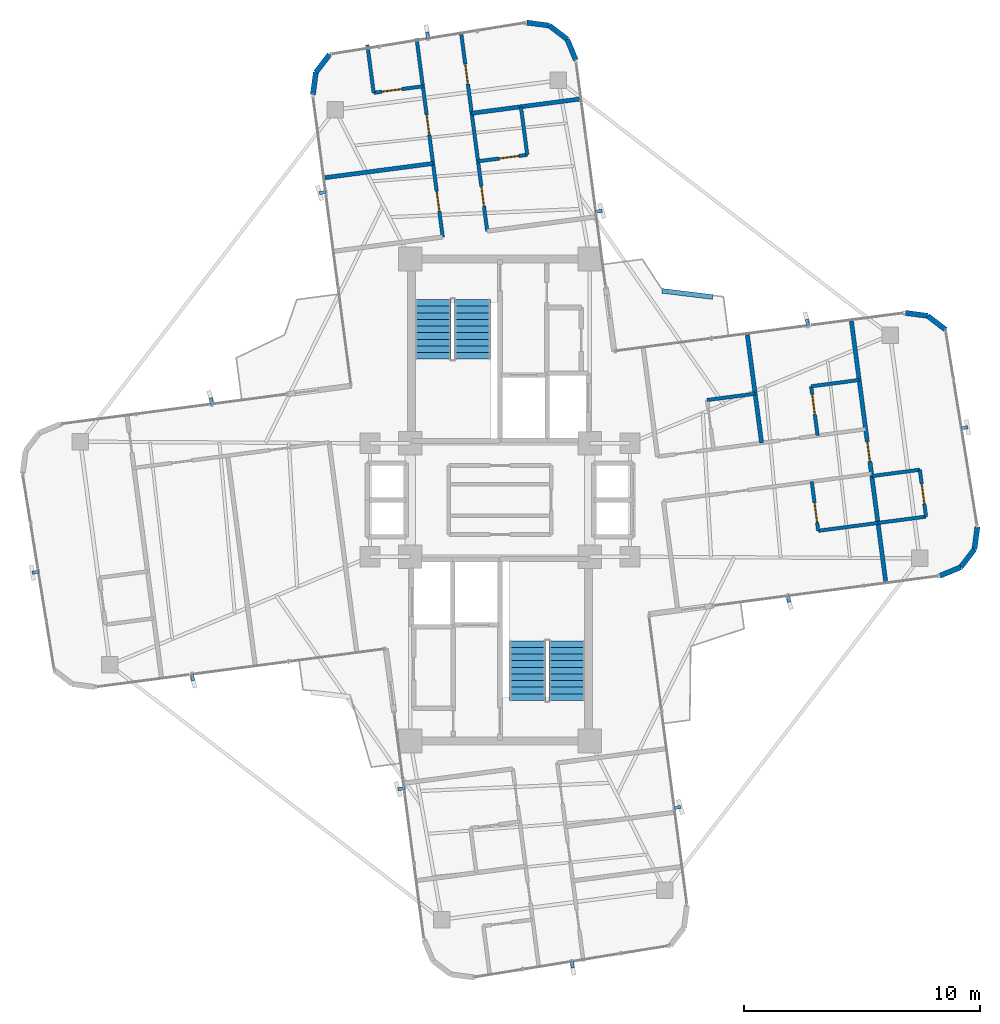
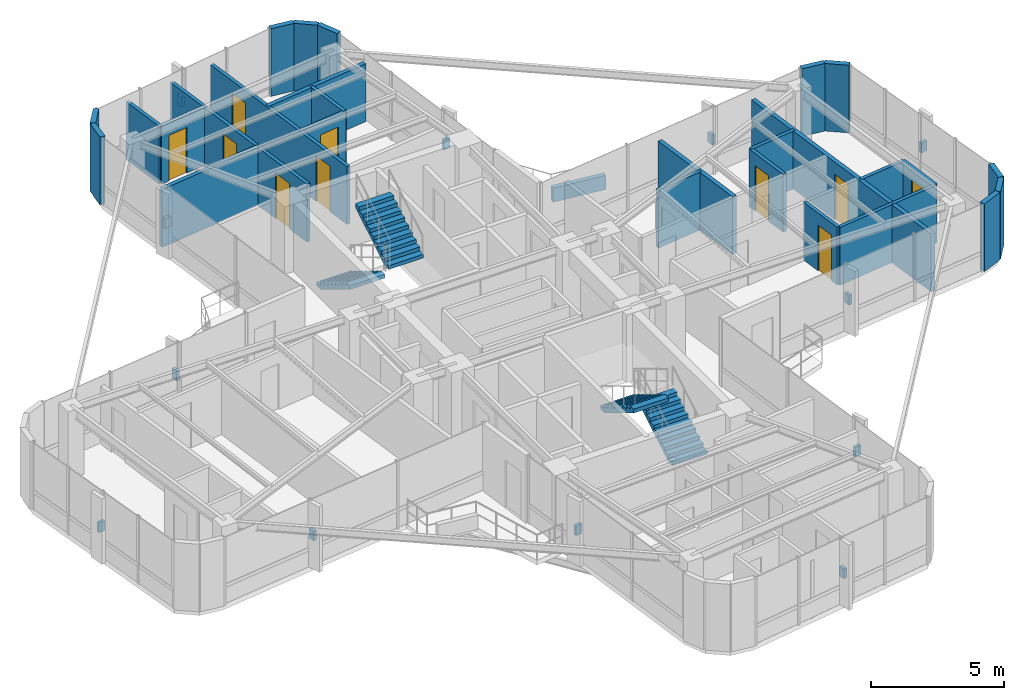
# One storey, part 21 of 22: 29 walls, 12 discrete accessories, 10 doors, 4 stair flights, 10 openings, 2 elements without a shape of their own.
"""IFC4 building model written with IfcOpenShell, lengths in metres."""

from ifc_helpers import new_model, si_unit, direction, frame, frame_2d, origin, origin_2d, place, context, subcontext, project, spatial, polyline, rectangle, outline, extrude, source, transform, mapped, material, layer, layer_set, type_object, element, fill, aggregate, save


model = new_model("IFC4")

# Units and contexts
model_context = context("Model", 3, precision=1e-05, world=origin(), true_north=direction((0.0, 1.0)))
body_context = subcontext(model_context, "Body", "Model", "MODEL_VIEW")
ifc_project = project(units=[si_unit("LENGTHUNIT", "METRE"), si_unit("AREAUNIT", "SQUARE_METRE"), si_unit("VOLUMEUNIT", "CUBIC_METRE"), si_unit("PLANEANGLEUNIT", "RADIAN"), si_unit("MASSUNIT", "GRAM", prefix="KILO")], contexts=[model_context])

# Site, building, storey
site_placement = place(None, origin())
site = spatial("IfcSite", under=ifc_project, at=site_placement, CompositionType="ELEMENT")
building_placement = place(site_placement, origin())
building = spatial("IfcBuilding", under=site, at=building_placement, Name="Sahyath Konkavel Grand Hotel", CompositionType="ELEMENT")
storey_placement = place(building_placement, frame((0.0, 0.0, 247.85009765625)))
storey = spatial("IfcBuildingStorey", under=building, at=storey_placement, Name="L69", CompositionType="ELEMENT", Elevation=247.85009765625)

# Walls
ifc_material_1 = material(Name="Warm Buff Sandstone Insulated Concrete C40/50", Category="masonry")
ifc_layer_1 = layer(ifc_material_1, 0.219970703125)
ifc_layer_set_1 = layer_set([ifc_layer_1], Name="Warm Buff Sandstone Insulated Concrete C40/50")
wall_type_1 = type_object("IfcWallType", Name="WLL-BALC-THRESH", PredefinedType="STANDARD", material=ifc_layer_set_1)
for number, where, z_axis, x_axis, name in (
    (1, (18.6083984375, -3.211669921875, 0.0), (0.0, 0.0, 1.0), (0.923889442397, 0.382659506909, 0.0), "L69 Rounded Corner Sandstone Pier 1"),
    (2, (19.4931640625, -2.84521484375, 0.0), (0.0, 0.0, 1.0), (0.608774010809, 0.793343685778, 0.0), "L69 Rounded Corner Sandstone Pier 2"),
    (3, (20.076171875, -2.08544921875, 0.0), (0.0, 0.0, 1.0), (0.130527053476, 0.991444747987, 0.0), "L69 Rounded Corner Sandstone Pier 3"),
    (4, (18.852294921875, 7.21044921875, 0.0), (0.0, 0.0, 1.0), (-0.793343685778, 0.608774010809, 0.0), "L69 Rounded Corner Sandstone Pier 5"),
    (5, (18.092529296875, 7.79345703125, 0.0), (0.0, 0.0, 1.0), (-0.991444747987, 0.130527053476, 0.0), "L69 Rounded Corner Sandstone Pier 6"),
    (6, (3.211669921875, 18.6083984375, 0.0), (0.0, 0.0, 1.0), (-0.382659506909, 0.923889442397, 0.0), "L69 Rounded Corner Sandstone Pier 9"),
    (7, (2.84521484375, 19.4931640625, 0.0), (0.0, 0.0, 1.0), (-0.793343685778, 0.608774010809, 0.0), "L69 Rounded Corner Sandstone Pier 10"),
    (8, (2.08544921875, 20.076171875, 0.0), (0.0, 0.0, 1.0), (-0.991444747987, 0.130527053476, 0.0), "L69 Rounded Corner Sandstone Pier 11"),
    (9, (-7.21044921875, 18.852294921875, 0.0), (0.0, 0.0, 1.0), (-0.608774010809, -0.793343685778, 0.0), "L69 Rounded Corner Sandstone Pier 13"),
    (10, (-7.79345703125, 18.092529296875, 0.0), (0.0, 0.0, 1.0), (-0.130527053476, -0.991444747987, 0.0), "L69 Rounded Corner Sandstone Pier 14"),
):
    element("IfcWall", number, at=place(storey_placement, frame(where, z_axis=z_axis, x_axis=x_axis)), inside=storey, type_object=wall_type_1, Name=name, PredefinedType="STANDARD", context=body_context, shape_type="SweptSolid", body=[
        extrude(rectangle(XDim=0.957763671875, YDim=0.219970703125, at=frame_2d((0.47900390625, 0.0))), origin(), (0.0, 0.0, 1.0), 3.10986328125),
    ])
ifc_material_2 = material(Name="Twin-Stud Acoustic Gypsum Plasterboard Partition")
ifc_layer_2 = layer(ifc_material_2, 0.179931640625)
ifc_layer_set_2 = layer_set([ifc_layer_2], Name="Twin-Stud Acoustic Gypsum Plasterboard Partition")
wall_type_2 = type_object("IfcWallType", Name="WLL-DEMISE-180", PredefinedType="PARTITIONING", material=ifc_layer_set_2)
wall_1_placement = place(storey_placement, frame((11.0693359375, 2.41552734375, 0.0), z_axis=(0.0, 0.0, 1.0), x_axis=(-0.130513382096, 0.991446547774, 0.0)))
element("IfcWall", 11, at=wall_1_placement, inside=storey, type_object=wall_type_2, Name="L69 Partition E-E4L1-DEM", PredefinedType="PARTITIONING", context=body_context, shape_type="SweptSolid", body=[
    extrude(rectangle(XDim=4.613037109375, YDim=0.179931640625, at=frame_2d((2.306640625, 0.0))), origin(), (0.0, 0.0, 1.0), 2.659912109375),
])

# Wall, opening, door
wall_2_placement = place(storey_placement, frame((16.321533203125, -3.462158203125, 0.0), z_axis=(0.0, 0.0, 1.0), x_axis=(-0.13051922211, 0.991445778981, 0.0)))
wall_2 = element("IfcWall", 12, at=wall_2_placement, inside=storey, type_object=wall_type_2, Name="L69 Partition E-ETIP-END", PredefinedType="PARTITIONING", context=body_context, shape_type="SweptSolid", body=[
    extrude(rectangle(XDim=11.1259765625, YDim=0.179931640625, at=frame_2d((5.56298828125, 0.0))), origin(), (0.0, 0.0, 1.0), 2.659912109375),
])
opening_1_placement = place(wall_2_placement, frame((5.137939453125, 0.0, 0.0)))
opening_1 = element("IfcOpeningElement", 13, at=opening_1_placement, cuts=wall_2, Name="Opening D-F06D", PredefinedType="OPENING", context=body_context, shape_type="SweptSolid", body=[
    extrude(rectangle(XDim=0.85009765625, YDim=2.10009765625, at=frame_2d((0.425048828125, 1.050048828125))), frame((0.0, 0.10009765625, 0.0), z_axis=(0.0, -1.0, 0.0), x_axis=(1.0, 0.0, 0.0)), (0.0, 0.0, 1.0), 0.199951171875),
])
ifc_material_3 = material(Name="Fire-Rated Shaft Access Door")
door_type_1 = type_object("IfcDoorType", Name="DR-FD60-850", OperationType="NOTDEFINED", PredefinedType="DOOR", material=ifc_material_3)
shared_shape_1 = source(origin(), body_context, "Body", "SweptSolid", [
    extrude(rectangle(XDim=0.85009765625, YDim=0.050048828125, at=origin_2d()), origin(), (0.0, 0.0, 1.0), 2.10009765625),
])
door_1_placement = place(opening_1_placement, frame((0.425048828125, 0.0, 0.0)))
door_1 = element("IfcDoor", 14, at=door_1_placement, inside=storey, type_object=door_type_1, Name="L69 Door E-ETIP-ED", OperationType="SINGLE_SWING_LEFT", OverallHeight=2.10009765625, OverallWidth=0.85009765625, PredefinedType="DOOR", context=body_context, shape_type="MappedRepresentation", body=[
    mapped(shared_shape_1, transform((0.0, 0.0, 0.0), scale=1.0)),
])
fill(opening_1, door_1)

# Walls
for number, where, z_axis, x_axis, name in (
    (15, (-2.8330078125, 14.239990234375, 0.0), (0.0, 0.0, 1.0), (-0.991446547774, -0.130513382096, 0.0), "L69 Partition N-N1L-DEM"),
    (16, (-1.196044921875, 16.364013671875, 0.0), (0.0, 0.0, 1.0), (0.991446547774, 0.130513382096, 0.0), "L69 Partition N-N1R-DEM"),
):
    element("IfcWall", number, at=place(storey_placement, frame(where, z_axis=z_axis, x_axis=x_axis)), inside=storey, type_object=wall_type_2, Name=name, PredefinedType="PARTITIONING", context=body_context, shape_type="SweptSolid", body=[
        extrude(rectangle(XDim=4.613037109375, YDim=0.179931640625, at=frame_2d((2.306640625, 0.0))), origin(), (0.0, 0.0, 1.0), 2.659912109375),
    ])
ifc_material_4 = material(Name="Fire-Rated Gypsum Plasterboard Partition")
ifc_layer_3 = layer(ifc_material_4, 0.14990234375)
ifc_layer_set_3 = layer_set([ifc_layer_3], Name="Fire-Rated Gypsum Plasterboard Partition")
wall_type_3 = type_object("IfcWallType", Name="WLL-PART-150", PredefinedType="PARTITIONING", material=ifc_layer_set_3)
wall_3_placement = place(storey_placement, frame((8.7626953125, 4.22998046875, 0.0), z_axis=(0.0, 0.0, 1.0), x_axis=(0.991446998513, 0.130509958008, 0.0)))
element("IfcWall", 17, at=wall_3_placement, inside=storey, type_object=wall_type_3, Name="L69 Partition E-E4L1-BF", PredefinedType="PARTITIONING", context=body_context, shape_type="SweptSolid", body=[
    extrude(rectangle(XDim=2.05029296875, YDim=0.14990234375, at=frame_2d((1.025146484375, 0.0))), origin(), (0.0, 0.0, 1.0), 2.659912109375),
])

# Wall, opening, door
wall_4_placement = place(storey_placement, frame((13.43896484375, 2.7275390625, 0.0), z_axis=(0.0, 0.0, 1.0), x_axis=(-0.130556761174, 0.991440836415, 0.0)))
wall_4 = element("IfcWall", 18, at=wall_4_placement, inside=storey, type_object=wall_type_3, Name="L69 Partition E-E4L2-BS", PredefinedType="PARTITIONING", context=body_context, shape_type="SweptSolid", body=[
    extrude(rectangle(XDim=2.10009765625, YDim=0.14990234375, at=frame_2d((1.050048828125, 0.0))), origin(), (0.0, 0.0, 1.0), 2.659912109375),
])
opening_2_placement = place(wall_4_placement, frame((0.89990234375, 0.0, 0.0)))
opening_2 = element("IfcOpeningElement", 19, at=opening_2_placement, cuts=wall_4, Name="Opening D-BT85", PredefinedType="OPENING", context=body_context, shape_type="SweptSolid", body=[
    extrude(rectangle(XDim=0.85009765625, YDim=2.10009765625, at=frame_2d((0.425048828125, 1.050048828125))), frame((0.0, 0.0849609375, 0.0), z_axis=(0.0, -1.0, 0.0), x_axis=(1.0, 0.0, 0.0)), (0.0, 0.0, 1.0), 0.169921875),
])
ifc_material_5 = material(Name="Moisture-Resistant Teak Bathroom Door")
door_type_2 = type_object("IfcDoorType", Name="DR-BATH-850", OperationType="NOTDEFINED", PredefinedType="DOOR", material=ifc_material_5)
door_2_placement = place(opening_2_placement, frame((0.425048828125, 0.0, 0.0)))
door_2 = element("IfcDoor", 20, at=door_2_placement, inside=storey, type_object=door_type_2, Name="L69 Door E-E4L2-BD", OperationType="SINGLE_SWING_RIGHT", OverallHeight=2.10009765625, OverallWidth=0.85009765625, PredefinedType="DOOR", context=body_context, shape_type="MappedRepresentation", body=[
    mapped(shared_shape_1, transform((0.0, 0.0, 0.0), scale=1.0)),
])
fill(opening_2, door_2)

# Wall
wall_5_placement = place(storey_placement, frame((13.164794921875, 4.8095703125, 0.0), z_axis=(0.0, 0.0, 1.0), x_axis=(0.991444969909, 0.13052536781, 0.0)))
element("IfcWall", 21, at=wall_5_placement, inside=storey, type_object=wall_type_3, Name="L69 Partition E-E4L2-BF", PredefinedType="PARTITIONING", context=body_context, shape_type="SweptSolid", body=[
    extrude(rectangle(XDim=2.050048828125, YDim=0.14990234375, at=frame_2d((1.02490234375, 0.0))), origin(), (0.0, 0.0, 1.0), 2.659912109375),
])

# Wall, opening, door
wall_6_placement = place(storey_placement, frame((13.191162109375, 0.778564453125, 0.0), z_axis=(0.0, 0.0, 1.0), x_axis=(0.130541714651, -0.991442817683, 0.0)))
wall_6 = element("IfcWall", 22, at=wall_6_placement, inside=storey, type_object=wall_type_3, Name="L69 Partition E-E4R1-BS", PredefinedType="PARTITIONING", context=body_context, shape_type="SweptSolid", body=[
    extrude(rectangle(XDim=2.100341796875, YDim=0.14990234375, at=frame_2d((1.05029296875, 0.0))), origin(), (0.0, 0.0, 1.0), 2.659912109375),
])
opening_3_placement = place(wall_6_placement, frame((0.89990234375, 0.0, 0.0)))
opening_3 = element("IfcOpeningElement", 23, at=opening_3_placement, cuts=wall_6, Name="Opening D-BT85", PredefinedType="OPENING", context=body_context, shape_type="SweptSolid", body=[
    extrude(rectangle(XDim=0.85009765625, YDim=2.10009765625, at=frame_2d((0.425048828125, 1.050048828125))), frame((0.0, 0.0849609375, 0.0), z_axis=(0.0, -1.0, 0.0), x_axis=(1.0, 0.0, 0.0)), (0.0, 0.0, 1.0), 0.169921875),
])
door_3_placement = place(opening_3_placement, frame((0.425048828125, 0.0, 0.0)))
door_3 = element("IfcDoor", 24, at=door_3_placement, inside=storey, type_object=door_type_2, Name="L69 Door E-E4R1-BD", OperationType="SINGLE_SWING_RIGHT", OverallHeight=2.10009765625, OverallWidth=0.85009765625, PredefinedType="DOOR", context=body_context, shape_type="MappedRepresentation", body=[
    mapped(shared_shape_1, transform((0.0, 0.0, 0.0), scale=1.0)),
])
fill(opening_3, door_3)

# Walls
wall_7_placement = place(storey_placement, frame((13.46533203125, -1.3037109375, 0.0), z_axis=(0.0, 0.0, 1.0), x_axis=(0.99143571012, 0.130595684076, 0.0)))
element("IfcWall", 25, at=wall_7_placement, inside=storey, type_object=wall_type_3, Name="L69 Partition E-E4R1-BF", PredefinedType="PARTITIONING", context=body_context, shape_type="SweptSolid", body=[
    extrude(rectangle(XDim=2.5498046875, YDim=0.14990234375, at=frame_2d((1.27490234375, 0.0))), origin(), (0.0, 0.0, 1.0), 2.659912109375),
])
for number, where, z_axis, x_axis, name in (
    (26, (15.732421875, 1.01220703125, 0.0), (0.0, 0.0, 1.0), (0.991444969909, 0.13052536781, 0.0), "L69 Partition E-ETIP-BN"),
    (27, (15.993408203125, -0.970703125, 0.0), (0.0, 0.0, 1.0), (0.991444969909, 0.13052536781, 0.0), "L69 Partition E-ETIP-BS"),
):
    element("IfcWall", number, at=place(storey_placement, frame(where, z_axis=z_axis, x_axis=x_axis)), inside=storey, type_object=wall_type_3, Name=name, PredefinedType="PARTITIONING", context=body_context, shape_type="SweptSolid", body=[
        extrude(rectangle(XDim=2.050048828125, YDim=0.14990234375, at=frame_2d((1.02490234375, 0.0))), origin(), (0.0, 0.0, 1.0), 2.659912109375),
    ])

# Wall, opening, door
wall_8_placement = place(storey_placement, frame((18.02587890625, -0.703125, 0.0), z_axis=(0.0, 0.0, 1.0), x_axis=(-0.130492404742, 0.991449308994, 0.0)))
wall_8 = element("IfcWall", 28, at=wall_8_placement, inside=storey, type_object=wall_type_3, Name="L69 Partition E-ETIP-BE", PredefinedType="PARTITIONING", context=body_context, shape_type="SweptSolid", body=[
    extrude(rectangle(XDim=2.0, YDim=0.14990234375, at=frame_2d((1.0, 0.0))), origin(), (0.0, 0.0, 1.0), 2.659912109375),
])
opening_4_placement = place(wall_8_placement, frame((0.550048828125, 0.0, 0.0)))
opening_4 = element("IfcOpeningElement", 29, at=opening_4_placement, cuts=wall_8, Name="Opening D-BT85", PredefinedType="OPENING", context=body_context, shape_type="SweptSolid", body=[
    extrude(rectangle(XDim=0.85009765625, YDim=2.10009765625, at=frame_2d((0.425048828125, 1.050048828125))), frame((0.0, 0.0849609375, 0.0), z_axis=(0.0, -1.0, 0.0), x_axis=(1.0, 0.0, 0.0)), (0.0, 0.0, 1.0), 0.169921875),
])
door_4_placement = place(opening_4_placement, frame((0.425048828125, 0.0, 0.0)))
door_4 = element("IfcDoor", 30, at=door_4_placement, inside=storey, type_object=door_type_2, Name="L69 Door E-ETIP-BD", OperationType="SINGLE_SWING_RIGHT", OverallHeight=2.10009765625, OverallWidth=0.85009765625, PredefinedType="DOOR", context=body_context, shape_type="MappedRepresentation", body=[
    mapped(shared_shape_1, transform((0.0, 0.0, 0.0), scale=1.0)),
])
fill(opening_4, door_4)

# Wall, openings, doors
wall_9_placement = place(storey_placement, frame((-2.42333984375, 11.12890625, 0.0), z_axis=(0.0, 0.0, 1.0), x_axis=(-0.130534199314, 0.991443807187, 0.0)))
wall_9 = element("IfcWall", 31, at=wall_9_placement, inside=storey, type_object=wall_type_3, Name="L69 Partition N-CL", PredefinedType="PARTITIONING", context=body_context, shape_type="SweptSolid", body=[
    extrude(rectangle(XDim=8.47998046875, YDim=0.14990234375, at=frame_2d((4.239990234375, 0.0))), origin(), (0.0, 0.0, 1.0), 2.659912109375),
])
opening_5_placement = place(wall_9_placement, frame((1.093994140625, 0.0, 0.0)))
opening_5 = element("IfcOpeningElement", 32, at=opening_5_placement, cuts=wall_9, Name="Opening D-F06D", PredefinedType="OPENING", context=body_context, shape_type="SweptSolid", body=[
    extrude(rectangle(XDim=0.85009765625, YDim=2.10009765625, at=frame_2d((0.425048828125, 1.050048828125))), frame((0.0, 0.0849609375, 0.0), z_axis=(0.0, -1.0, 0.0), x_axis=(1.0, 0.0, 0.0)), (0.0, 0.0, 1.0), 0.169921875),
])
opening_6_placement = place(wall_9_placement, frame((4.35888671875, 0.0, 0.0)))
opening_6 = element("IfcOpeningElement", 33, at=opening_6_placement, cuts=wall_9, Name="Opening D-F06D", PredefinedType="OPENING", context=body_context, shape_type="SweptSolid", body=[
    extrude(rectangle(XDim=0.85009765625, YDim=2.10009765625, at=frame_2d((0.425048828125, 1.050048828125))), frame((0.0, 0.0849609375, 0.0), z_axis=(0.0, -1.0, 0.0), x_axis=(1.0, 0.0, 0.0)), (0.0, 0.0, 1.0), 0.169921875),
])
door_5_placement = place(opening_5_placement, frame((0.425048828125, 0.0, 0.0)))
door_5 = element("IfcDoor", 34, at=door_5_placement, inside=storey, type_object=door_type_1, Name="L69 Door N-N1L-D", OperationType="SINGLE_SWING_RIGHT", OverallHeight=2.10009765625, OverallWidth=0.85009765625, PredefinedType="DOOR", context=body_context, shape_type="MappedRepresentation", body=[
    mapped(shared_shape_1, transform((0.0, 0.0, 0.0), scale=1.0)),
])
fill(opening_5, door_5)
door_6_placement = place(opening_6_placement, frame((0.425048828125, 0.0, 0.0)))
door_6 = element("IfcDoor", 35, at=door_6_placement, inside=storey, type_object=door_type_1, Name="L69 Door N-N2L-ED", OperationType="SINGLE_SWING_RIGHT", OverallHeight=2.10009765625, OverallWidth=0.85009765625, PredefinedType="DOOR", context=body_context, shape_type="MappedRepresentation", body=[
    mapped(shared_shape_1, transform((0.0, 0.0, 0.0), scale=1.0)),
])
fill(opening_6, door_6)

wall_10_placement = place(storey_placement, frame((-0.53955078125, 11.376953125, 0.0), z_axis=(0.0, 0.0, 1.0), x_axis=(-0.130534199314, 0.991443807187, 0.0)))
wall_10 = element("IfcWall", 36, at=wall_10_placement, inside=storey, type_object=wall_type_3, Name="L69 Partition N-CR", PredefinedType="PARTITIONING", context=body_context, shape_type="SweptSolid", body=[
    extrude(rectangle(XDim=8.47998046875, YDim=0.14990234375, at=frame_2d((4.239990234375, 0.0))), origin(), (0.0, 0.0, 1.0), 2.659912109375),
])
opening_7_placement = place(wall_10_placement, frame((1.06494140625, 0.0, 0.0)))
opening_7 = element("IfcOpeningElement", 37, at=opening_7_placement, cuts=wall_10, Name="Opening D-F06D", PredefinedType="OPENING", context=body_context, shape_type="SweptSolid", body=[
    extrude(rectangle(XDim=0.85009765625, YDim=2.10009765625, at=frame_2d((0.425048828125, 1.050048828125))), frame((0.0, 0.0849609375, 0.0), z_axis=(0.0, -1.0, 0.0), x_axis=(1.0, 0.0, 0.0)), (0.0, 0.0, 1.0), 0.169921875),
])
opening_8_placement = place(wall_10_placement, frame((6.280029296875, 0.0, 0.0)))
opening_8 = element("IfcOpeningElement", 38, at=opening_8_placement, cuts=wall_10, Name="Opening D-F06D", PredefinedType="OPENING", context=body_context, shape_type="SweptSolid", body=[
    extrude(rectangle(XDim=0.85009765625, YDim=2.10009765625, at=frame_2d((0.425048828125, 1.050048828125))), frame((0.0, 0.0849609375, 0.0), z_axis=(0.0, -1.0, 0.0), x_axis=(1.0, 0.0, 0.0)), (0.0, 0.0, 1.0), 0.169921875),
])
door_7_placement = place(opening_7_placement, frame((0.425048828125, 0.0, 0.0)))
door_7 = element("IfcDoor", 39, at=door_7_placement, inside=storey, type_object=door_type_1, Name="L69 Door N-N1R-ED", OperationType="SINGLE_SWING_RIGHT", OverallHeight=2.10009765625, OverallWidth=0.85009765625, PredefinedType="DOOR", context=body_context, shape_type="MappedRepresentation", body=[
    mapped(shared_shape_1, transform((0.0, 0.0, 0.0), scale=1.0)),
])
fill(opening_7, door_7)
door_8_placement = place(opening_8_placement, frame((0.425048828125, 0.0, 0.0)))
door_8 = element("IfcDoor", 40, at=door_8_placement, inside=storey, type_object=door_type_1, Name="L69 Door N-N2R-D", OperationType="SINGLE_SWING_LEFT", OverallHeight=2.10009765625, OverallWidth=0.85009765625, PredefinedType="DOOR", context=body_context, shape_type="MappedRepresentation", body=[
    mapped(shared_shape_1, transform((0.0, 0.0, 0.0), scale=1.0)),
])
fill(opening_8, door_8)

# Wall, opening, door
wall_11_placement = place(storey_placement, frame((-3.2626953125, 17.50390625, 0.0), z_axis=(0.0, 0.0, 1.0), x_axis=(-0.991440836415, -0.130556761174, 0.0)))
wall_11 = element("IfcWall", 41, at=wall_11_placement, inside=storey, type_object=wall_type_3, Name="L69 Partition N-N2L-BS", PredefinedType="PARTITIONING", context=body_context, shape_type="SweptSolid", body=[
    extrude(rectangle(XDim=2.10009765625, YDim=0.14990234375, at=frame_2d((1.050048828125, 0.0))), origin(), (0.0, 0.0, 1.0), 2.659912109375),
])
opening_9_placement = place(wall_11_placement, frame((0.89990234375, 0.0, 0.0)))
opening_9 = element("IfcOpeningElement", 42, at=opening_9_placement, cuts=wall_11, Name="Opening D-BT85", PredefinedType="OPENING", context=body_context, shape_type="SweptSolid", body=[
    extrude(rectangle(XDim=0.85009765625, YDim=2.10009765625, at=frame_2d((0.425048828125, 1.050048828125))), frame((0.0, 0.0849609375, 0.0), z_axis=(0.0, -1.0, 0.0), x_axis=(1.0, 0.0, 0.0)), (0.0, 0.0, 1.0), 0.169921875),
])
door_9_placement = place(opening_9_placement, frame((0.425048828125, 0.0, 0.0)))
door_9 = element("IfcDoor", 43, at=door_9_placement, inside=storey, type_object=door_type_2, Name="L69 Door N-N2L-BD", OperationType="SINGLE_SWING_LEFT", OverallHeight=2.10009765625, OverallWidth=0.85009765625, PredefinedType="DOOR", context=body_context, shape_type="MappedRepresentation", body=[
    mapped(shared_shape_1, transform((0.0, 0.0, 0.0), scale=1.0)),
])
fill(opening_9, door_9)

# Wall
wall_12_placement = place(storey_placement, frame((-5.3447265625, 17.229736328125, 0.0), z_axis=(0.0, 0.0, 1.0), x_axis=(-0.13052536781, 0.991444969909, 0.0)))
element("IfcWall", 44, at=wall_12_placement, inside=storey, type_object=wall_type_3, Name="L69 Partition N-N2L-BF", PredefinedType="PARTITIONING", context=body_context, shape_type="SweptSolid", body=[
    extrude(rectangle(XDim=2.050048828125, YDim=0.14990234375, at=frame_2d((1.02490234375, 0.0))), origin(), (0.0, 0.0, 1.0), 2.659912109375),
])

# Wall, opening, door
wall_13_placement = place(storey_placement, frame((-0.9287109375, 14.331298828125, 0.0), z_axis=(0.0, 0.0, 1.0), x_axis=(0.991442817683, 0.130541714651, 0.0)))
wall_13 = element("IfcWall", 45, at=wall_13_placement, inside=storey, type_object=wall_type_3, Name="L69 Partition N-N1R-BS", PredefinedType="PARTITIONING", context=body_context, shape_type="SweptSolid", body=[
    extrude(rectangle(XDim=2.100341796875, YDim=0.14990234375, at=frame_2d((1.05029296875, 0.0))), origin(), (0.0, 0.0, 1.0), 2.659912109375),
])
opening_10_placement = place(wall_13_placement, frame((0.89990234375, 0.0, 0.0)))
opening_10 = element("IfcOpeningElement", 46, at=opening_10_placement, cuts=wall_13, Name="Opening D-BT85", PredefinedType="OPENING", context=body_context, shape_type="SweptSolid", body=[
    extrude(rectangle(XDim=0.85009765625, YDim=2.10009765625, at=frame_2d((0.425048828125, 1.050048828125))), frame((0.0, 0.0849609375, 0.0), z_axis=(0.0, -1.0, 0.0), x_axis=(1.0, 0.0, 0.0)), (0.0, 0.0, 1.0), 0.169921875),
])
door_10_placement = place(opening_10_placement, frame((0.425048828125, 0.0, 0.0)))
door_10 = element("IfcDoor", 47, at=door_10_placement, inside=storey, type_object=door_type_2, Name="L69 Door N-N1R-BD", OperationType="SINGLE_SWING_LEFT", OverallHeight=2.10009765625, OverallWidth=0.85009765625, PredefinedType="DOOR", context=body_context, shape_type="MappedRepresentation", body=[
    mapped(shared_shape_1, transform((0.0, 0.0, 0.0), scale=1.0)),
])
fill(opening_10, door_10)

# Walls
wall_14_placement = place(storey_placement, frame((1.153564453125, 14.60546875, 0.0), z_axis=(0.0, 0.0, 1.0), x_axis=(-0.13052536781, 0.991444969909, 0.0)))
element("IfcWall", 48, at=wall_14_placement, inside=storey, type_object=wall_type_3, Name="L69 Partition N-N1R-BF", PredefinedType="PARTITIONING", context=body_context, shape_type="SweptSolid", body=[
    extrude(rectangle(XDim=2.050048828125, YDim=0.14990234375, at=frame_2d((1.02490234375, 0.0))), origin(), (0.0, 0.0, 1.0), 2.659912109375),
])
ifc_material_6 = material(Name="Warm Buff Sandstone Planter Wall", Category="masonry")
ifc_layer_4 = layer(ifc_material_6, 0.199951171875)
ifc_layer_set_4 = layer_set([ifc_layer_4], Name="Warm Buff Sandstone Planter Wall")
wall_type_4 = type_object("IfcWallType", Name="WLL-PLANTER-200", PredefinedType="PARAPET", material=ifc_layer_set_4)
wall_15_placement = place(storey_placement, frame((8.993896484375, 8.58837890625, 0.0), z_axis=(0.0, 0.0, 1.0), x_axis=(-0.99263093382, 0.12117685102, 0.0)))
element("IfcWall", 49, at=wall_15_placement, inside=storey, type_object=wall_type_4, Name="L69 Sky-Garden Stone Planter PLANTER NE", PredefinedType="PARAPET", context=body_context, shape_type="SweptSolid", body=[
    extrude(rectangle(XDim=2.15576171875, YDim=0.199951171875, at=frame_2d((1.077880859375, 0.0))), origin(), (0.0, 0.0, 1.0), 0.64990234375),
])

# Stair, stair flights
ifc_material_7 = material(Name="Concrete C40/50", Category="concrete")
stair_type = type_object("IfcStairType", Name="STR-ST16-335", PredefinedType="HALF_TURN_STAIR", material=ifc_material_7)
stair_1_placement = place(storey_placement, origin())
stair_1 = element("IfcStair", 50, at=stair_1_placement, inside=storey, type_object=stair_type, Name="L69 North Core Smokeproof Exit Stair ST-1", PredefinedType="HALF_TURN_STAIR")
stair_flight_type = type_object("IfcStairFlightType", Name="STF-ST16-335", PredefinedType="STRAIGHT", material=ifc_material_7)
stair_flight_1_placement = place(storey_placement, frame((-2.840087890625, 8.47998046875, 0.0), z_axis=(0.0, 0.0, 1.0), x_axis=(0.0, -1.0, 0.0)))
stair_flight_1 = element("IfcStairFlight", 51, at=stair_flight_1_placement, type_object=stair_flight_type, Name="ST-1 flight 1", NumberOfRisers=10, NumberOfTreads=9, PredefinedType="STRAIGHT", RiserHeight=0.1675, TreadLength=0.28, context=body_context, shape_type="SweptSolid", body=[
    extrude(outline(polyline([(0.0, 0.0), (0.0, 0.16748046875), (0.280029296875, 0.16748046875), (0.280029296875, 0.3349609375), (0.56005859375, 0.3349609375), (0.56005859375, 0.50244140625), (0.840087890625, 0.50244140625), (0.840087890625, 0.669921875), (1.1201171875, 0.669921875), (1.1201171875, 0.83740234375), (1.39990234375, 0.83740234375), (1.39990234375, 1.0048828125), (1.679931640625, 1.0048828125), (1.679931640625, 1.172607421875), (1.9599609375, 1.172607421875), (1.9599609375, 1.340087890625), (2.239990234375, 1.340087890625), (2.239990234375, 1.507568359375), (2.52001953125, 1.507568359375), (2.52001953125, 1.675048828125), (2.52001953125, 1.332763671875), (0.2919921875, 0.0), (0.0, 0.0)])), frame((0.0, 0.760009765625, 0.0), z_axis=(0.0, -1.0, 0.0), x_axis=(1.0, 0.0, 0.0)), (0.0, 0.0, 1.0), 1.52001953125),
])
stair_flight_2_placement = place(storey_placement, frame((-1.159912109375, 5.9599609375, 1.6748046875), z_axis=(0.0, 0.0, 1.0), x_axis=(0.0, 1.0, 0.0)))
stair_flight_2 = element("IfcStairFlight", 52, at=stair_flight_2_placement, type_object=stair_flight_type, Name="ST-1 flight 2", NumberOfRisers=10, NumberOfTreads=9, PredefinedType="STRAIGHT", RiserHeight=0.1675, TreadLength=0.28, context=body_context, shape_type="SweptSolid", body=[
    extrude(outline(polyline([(0.0, 0.0), (0.0, 0.16748046875), (0.280029296875, 0.16748046875), (0.280029296875, 0.3349609375), (0.56005859375, 0.3349609375), (0.56005859375, 0.50244140625), (0.840087890625, 0.50244140625), (0.840087890625, 0.669921875), (1.1201171875, 0.669921875), (1.1201171875, 0.83740234375), (1.39990234375, 0.83740234375), (1.39990234375, 1.0048828125), (1.679931640625, 1.0048828125), (1.679931640625, 1.172607421875), (1.9599609375, 1.172607421875), (1.9599609375, 1.340087890625), (2.239990234375, 1.340087890625), (2.239990234375, 1.507568359375), (2.52001953125, 1.507568359375), (2.52001953125, 1.675048828125), (2.52001953125, 1.332763671875), (0.2919921875, 0.0), (0.0, 0.0)])), frame((0.0, 0.760009765625, 0.0), z_axis=(0.0, -1.0, 0.0), x_axis=(1.0, 0.0, 0.0)), (0.0, 0.0, 1.0), 1.52001953125),
])
aggregate(stair_1, [stair_flight_1, stair_flight_2])

stair_2_placement = place(storey_placement, origin())
stair_2 = element("IfcStair", 53, at=stair_2_placement, inside=storey, type_object=stair_type, Name="L69 South Core Smokeproof Exit Stair ST-2", PredefinedType="HALF_TURN_STAIR")
stair_flight_3_placement = place(storey_placement, frame((2.840087890625, -8.47998046875, 0.0), z_axis=(0.0, 0.0, 1.0), x_axis=(0.0, 1.0, 0.0)))
stair_flight_3 = element("IfcStairFlight", 54, at=stair_flight_3_placement, type_object=stair_flight_type, Name="ST-2 flight 1", NumberOfRisers=10, NumberOfTreads=9, PredefinedType="STRAIGHT", RiserHeight=0.1675, TreadLength=0.28, context=body_context, shape_type="SweptSolid", body=[
    extrude(outline(polyline([(0.0, 0.0), (0.0, 0.16748046875), (0.280029296875, 0.16748046875), (0.280029296875, 0.3349609375), (0.56005859375, 0.3349609375), (0.56005859375, 0.50244140625), (0.840087890625, 0.50244140625), (0.840087890625, 0.669921875), (1.1201171875, 0.669921875), (1.1201171875, 0.83740234375), (1.39990234375, 0.83740234375), (1.39990234375, 1.0048828125), (1.679931640625, 1.0048828125), (1.679931640625, 1.172607421875), (1.9599609375, 1.172607421875), (1.9599609375, 1.340087890625), (2.239990234375, 1.340087890625), (2.239990234375, 1.507568359375), (2.52001953125, 1.507568359375), (2.52001953125, 1.675048828125), (2.52001953125, 1.332763671875), (0.2919921875, 0.0), (0.0, 0.0)])), frame((0.0, 0.760009765625, 0.0), z_axis=(0.0, -1.0, 0.0), x_axis=(1.0, 0.0, 0.0)), (0.0, 0.0, 1.0), 1.52001953125),
])
stair_flight_4_placement = place(storey_placement, frame((1.159912109375, -5.9599609375, 1.6748046875), z_axis=(0.0, 0.0, 1.0), x_axis=(0.0, -1.0, 0.0)))
stair_flight_4 = element("IfcStairFlight", 55, at=stair_flight_4_placement, type_object=stair_flight_type, Name="ST-2 flight 2", NumberOfRisers=10, NumberOfTreads=9, PredefinedType="STRAIGHT", RiserHeight=0.1675, TreadLength=0.28, context=body_context, shape_type="SweptSolid", body=[
    extrude(outline(polyline([(0.0, 0.0), (0.0, 0.16748046875), (0.280029296875, 0.16748046875), (0.280029296875, 0.3349609375), (0.56005859375, 0.3349609375), (0.56005859375, 0.50244140625), (0.840087890625, 0.50244140625), (0.840087890625, 0.669921875), (1.1201171875, 0.669921875), (1.1201171875, 0.83740234375), (1.39990234375, 0.83740234375), (1.39990234375, 1.0048828125), (1.679931640625, 1.0048828125), (1.679931640625, 1.172607421875), (1.9599609375, 1.172607421875), (1.9599609375, 1.340087890625), (2.239990234375, 1.340087890625), (2.239990234375, 1.507568359375), (2.52001953125, 1.507568359375), (2.52001953125, 1.675048828125), (2.52001953125, 1.332763671875), (0.2919921875, 0.0), (0.0, 0.0)])), frame((0.0, 0.760009765625, 0.0), z_axis=(0.0, -1.0, 0.0), x_axis=(1.0, 0.0, 0.0)), (0.0, 0.0, 1.0), 1.52001953125),
])
aggregate(stair_2, [stair_flight_3, stair_flight_4])

# Discrete accessories
ifc_material_8 = material(Name="Steel E350", Category="steel")
discrete_accessory_type = type_object("IfcDiscreteAccessoryType", Name="ACC-FIN-BRACKET", PredefinedType="BRACKET", material=ifc_material_8)
shared_shape_2 = source(origin(), body_context, "Body", "SweptSolid", [
    extrude(rectangle(XDim=0.280029296875, YDim=0.139892578125, at=origin_2d()), origin(), (0.0, 0.0, 1.0), 0.449951171875),
])
for number, where, z_axis, x_axis, name in (
    (56, (12.216064453125, -4.184326171875, 1.330078125), (0.0, 0.0, 1.0), (0.13052619222, -0.991444861374, 0.0), "L69 Fin Support Bracket F0-1"),
    (57, (19.655029296875, 3.057861328125, 1.330078125), (0.0, 0.0, 1.0), (0.987192013995, 0.159536602398, 0.0), "L69 Fin Support Bracket F4-2"),
    (58, (13.00927734375, 7.50537109375, 1.330078125), (0.0, 0.0, 1.0), (-0.13052619222, 0.991444861374, 0.0), "L69 Fin Support Bracket F7-1"),
    (59, (4.184326171875, 12.216064453125, 1.330078125), (0.0, 0.0, 1.0), (0.991444861374, 0.13052619222, 0.0), "L69 Fin Support Bracket F8-1"),
    (60, (-3.057861328125, 19.655029296875, 1.330078125), (0.0, 0.0, 1.0), (-0.159536602398, 0.987192013995, 0.0), "L69 Fin Support Bracket F12-2"),
    (61, (-7.50537109375, 13.00927734375, 1.330078125), (0.0, 0.0, 1.0), (-0.991444861374, -0.13052619222, 0.0), "L69 Fin Support Bracket F15-1"),
    (62, (-12.216064453125, 4.184326171875, 1.330078125), (0.0, 0.0, 1.0), (-0.13052619222, 0.991444861374, 0.0), "L69 Fin Support Bracket F16-1"),
    (63, (-19.655029296875, -3.057861328125, 1.330078125), (0.0, 0.0, 1.0), (-0.987192013995, -0.159536602398, 0.0), "L69 Fin Support Bracket F20-2"),
    (64, (-13.00927734375, -7.50537109375, 1.330078125), (0.0, 0.0, 1.0), (0.13052619222, -0.991444861374, 0.0), "L69 Fin Support Bracket F23-1"),
    (65, (-4.184326171875, -12.216064453125, 1.330078125), (0.0, 0.0, 1.0), (-0.991444861374, -0.13052619222, 0.0), "L69 Fin Support Bracket F24-1"),
    (66, (3.057861328125, -19.655029296875, 1.330078125), (0.0, 0.0, 1.0), (0.159536602398, -0.987192013995, 0.0), "L69 Fin Support Bracket F28-2"),
    (67, (7.50537109375, -13.00927734375, 1.330078125), (0.0, 0.0, 1.0), (0.991444861374, 0.13052619222, 0.0), "L69 Fin Support Bracket F31-1"),
):
    element("IfcDiscreteAccessory", number, at=place(storey_placement, frame(where, z_axis=z_axis, x_axis=x_axis)), inside=storey, type_object=discrete_accessory_type, Name=name, PredefinedType="BRACKET", context=body_context, shape_type="MappedRepresentation", body=[
        mapped(shared_shape_2, transform((0.0, 0.0, 0.0), scale=1.0)),
    ])

save(model, "model.ifc")
